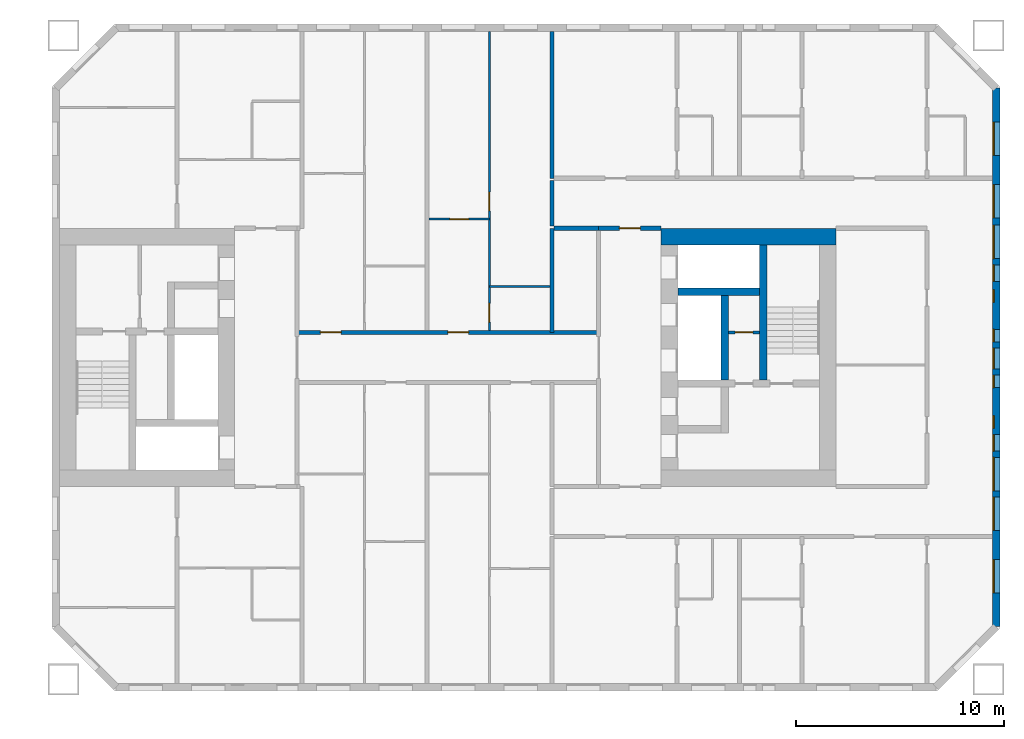
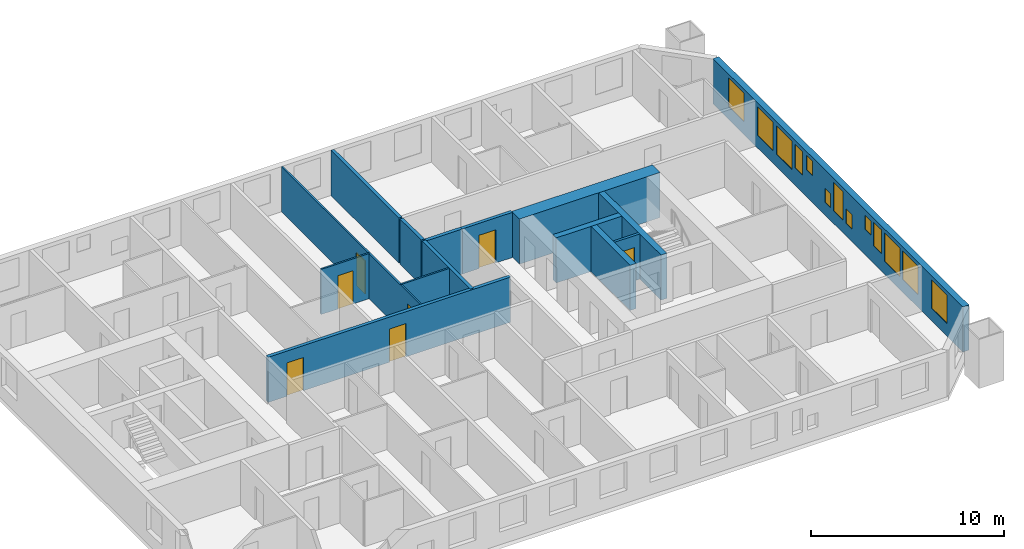
# One storey, part 13 of 17: 15 walls, 13 windows, 7 doors, 20 openings.
"""IFC4 building model written with IfcOpenShell, lengths in metres."""

from ifc_helpers import new_model, si_unit, direction, frame, frame_2d, origin, place, context, subcontext, project, spatial, rectangle, extrude, material, layer, layer_set, type_object, element, fill, save


model = new_model("IFC4")

# Units and contexts
model_context = context("Model", 3, precision=1e-05, world=origin(), true_north=direction((0.0, 1.0)))
body_context = subcontext(model_context, "Body", "Model", "MODEL_VIEW")
ifc_project = project(units=[si_unit("LENGTHUNIT", "METRE"), si_unit("AREAUNIT", "SQUARE_METRE"), si_unit("VOLUMEUNIT", "CUBIC_METRE"), si_unit("PLANEANGLEUNIT", "RADIAN"), si_unit("MASSUNIT", "GRAM", prefix="KILO")], contexts=[model_context])

# Site, building, storey
site_placement = place(None, origin())
site = spatial("IfcSite", under=ifc_project, at=site_placement, CompositionType="ELEMENT")
building_placement = place(site_placement, origin())
building = spatial("IfcBuilding", under=site, at=building_placement, Name="Tuart Gate Housing", CompositionType="ELEMENT")
storey_placement = place(building_placement, frame((0.0, 0.0, 50.5)))
storey = spatial("IfcBuildingStorey", under=building, at=storey_placement, Name="L13", CompositionType="ELEMENT", Elevation=50.5)

# Wall, openings, windows
ifc_material_1 = material(Name="Brick", Category="masonry")
ifc_layer_1 = layer(ifc_material_1, 0.360107421875)
ifc_layer_set_1 = layer_set([ifc_layer_1], Name="Brick pier and spandrel wall 360")
wall_type_1 = type_object("IfcWallType", Name="Brick pier and spandrel wall 360", PredefinedType="STANDARD", material=ifc_layer_set_1)
wall_1_placement = place(storey_placement, frame((176.320068359375, 57.07470703125, 0.0), z_axis=(0.0, 0.0, 1.0), x_axis=(0.0, 1.0, 0.0)))
wall_1 = element("IfcWall", 1, at=wall_1_placement, inside=storey, type_object=wall_type_1, Name="External wall B-E L13", PredefinedType="STANDARD", context=body_context, shape_type="SweptSolid", body=[
    extrude(rectangle(XDim=25.850830078125, YDim=0.360107421875, at=frame_2d((12.92529296875, 0.0))), origin(), (0.0, 0.0, 1.0), 2.85009765625),
])
opening_1_placement = place(wall_1_placement, frame((1.62548828125, 0.0, 0.800048828125)))
opening_1 = element("IfcOpeningElement", 2, at=opening_1_placement, cuts=wall_1, Name="Opening W1", PredefinedType="OPENING", context=body_context, shape_type="SweptSolid", body=[
    extrude(rectangle(XDim=1.60009765625, YDim=1.800048828125, at=frame_2d((0.800048828125, 0.89990234375))), frame((0.0, 0.18994140625, 0.0), z_axis=(0.0, -1.0, 0.0), x_axis=(1.0, 0.0, 0.0)), (0.0, 0.0, 1.0), 0.380126953125),
])
opening_2_placement = place(wall_1_placement, frame((4.62548828125, 0.0, 0.800048828125)))
opening_2 = element("IfcOpeningElement", 3, at=opening_2_placement, cuts=wall_1, Name="Opening W1", PredefinedType="OPENING", context=body_context, shape_type="SweptSolid", body=[
    extrude(rectangle(XDim=1.60009765625, YDim=1.800048828125, at=frame_2d((0.800048828125, 0.89990234375))), frame((0.0, 0.18994140625, 0.0), z_axis=(0.0, -1.0, 0.0), x_axis=(1.0, 0.0, 0.0)), (0.0, 0.0, 1.0), 0.380126953125),
])
opening_3_placement = place(wall_1_placement, frame((6.525390625, 0.0, 0.800048828125)))
opening_3 = element("IfcOpeningElement", 4, at=opening_3_placement, cuts=wall_1, Name="Opening W1", PredefinedType="OPENING", context=body_context, shape_type="SweptSolid", body=[
    extrude(rectangle(XDim=1.60009765625, YDim=1.800048828125, at=frame_2d((0.800048828125, 0.89990234375))), frame((0.0, 0.18994140625, 0.0), z_axis=(0.0, -1.0, 0.0), x_axis=(1.0, 0.0, 0.0)), (0.0, 0.0, 1.0), 0.380126953125),
])
opening_4_placement = place(wall_1_placement, frame((8.42529296875, 0.0, 1.10009765625)))
opening_4 = element("IfcOpeningElement", 5, at=opening_4_placement, cuts=wall_1, Name="Opening W1J", PredefinedType="OPENING", context=body_context, shape_type="SweptSolid", body=[
    extrude(rectangle(XDim=0.800048828125, YDim=1.5, at=frame_2d((0.39990234375, 0.75))), frame((0.0, 0.18994140625, 0.0), z_axis=(0.0, -1.0, 0.0), x_axis=(1.0, 0.0, 0.0)), (0.0, 0.0, 1.0), 0.380126953125),
])
opening_5_placement = place(wall_1_placement, frame((9.525390625, 0.0, 1.60009765625)))
opening_5 = element("IfcOpeningElement", 6, at=opening_5_placement, cuts=wall_1, Name="Opening W1W", PredefinedType="OPENING", context=body_context, shape_type="SweptSolid", body=[
    extrude(rectangle(XDim=0.60009765625, YDim=0.89990234375, at=frame_2d((0.300048828125, 0.449951171875))), frame((0.0, 0.18994140625, 0.0), z_axis=(0.0, -1.0, 0.0), x_axis=(1.0, 0.0, 0.0)), (0.0, 0.0, 1.0), 0.380126953125),
])
opening_6_placement = place(wall_1_placement, frame((11.475341796875, 0.0, 0.800048828125)))
opening_6 = element("IfcOpeningElement", 7, at=opening_6_placement, cuts=wall_1, Name="Opening W1W", PredefinedType="OPENING", context=body_context, shape_type="SweptSolid", body=[
    extrude(rectangle(XDim=0.60009765625, YDim=0.89990234375, at=frame_2d((0.300048828125, 0.449951171875))), frame((0.0, 0.18994140625, 0.0), z_axis=(0.0, -1.0, 0.0), x_axis=(1.0, 0.0, 0.0)), (0.0, 0.0, 1.0), 0.380126953125),
])
opening_7_placement = place(wall_1_placement, frame((19.62548828125, 0.0, 0.800048828125)))
opening_7 = element("IfcOpeningElement", 8, at=opening_7_placement, cuts=wall_1, Name="Opening W1", PredefinedType="OPENING", context=body_context, shape_type="SweptSolid", body=[
    extrude(rectangle(XDim=1.60009765625, YDim=1.800048828125, at=frame_2d((0.800048828125, 0.89990234375))), frame((0.0, 0.18994140625, 0.0), z_axis=(0.0, -1.0, 0.0), x_axis=(1.0, 0.0, 0.0)), (0.0, 0.0, 1.0), 0.380126953125),
])
opening_8_placement = place(wall_1_placement, frame((22.62548828125, 0.0, 0.800048828125)))
opening_8 = element("IfcOpeningElement", 9, at=opening_8_placement, cuts=wall_1, Name="Opening W1", PredefinedType="OPENING", context=body_context, shape_type="SweptSolid", body=[
    extrude(rectangle(XDim=1.60009765625, YDim=1.800048828125, at=frame_2d((0.800048828125, 0.89990234375))), frame((0.0, 0.18994140625, 0.0), z_axis=(0.0, -1.0, 0.0), x_axis=(1.0, 0.0, 0.0)), (0.0, 0.0, 1.0), 0.380126953125),
])
opening_9_placement = place(wall_1_placement, frame((12.37548828125, 0.0, 0.800048828125)))
opening_9 = element("IfcOpeningElement", 10, at=opening_9_placement, cuts=wall_1, Name="Opening W1C", PredefinedType="OPENING", context=body_context, shape_type="SweptSolid", body=[
    extrude(rectangle(XDim=1.0, YDim=1.800048828125, at=frame_2d((0.5, 0.89990234375))), frame((0.0, 0.18994140625, 0.0), z_axis=(0.0, -1.0, 0.0), x_axis=(1.0, 0.0, 0.0)), (0.0, 0.0, 1.0), 0.380126953125),
])
opening_10_placement = place(wall_1_placement, frame((13.67529296875, 0.0, 0.800048828125)))
opening_10 = element("IfcOpeningElement", 11, at=opening_10_placement, cuts=wall_1, Name="Opening W1W", PredefinedType="OPENING", context=body_context, shape_type="SweptSolid", body=[
    extrude(rectangle(XDim=0.60009765625, YDim=0.89990234375, at=frame_2d((0.300048828125, 0.449951171875))), frame((0.0, 0.18994140625, 0.0), z_axis=(0.0, -1.0, 0.0), x_axis=(1.0, 0.0, 0.0)), (0.0, 0.0, 1.0), 0.380126953125),
])
opening_11_placement = place(wall_1_placement, frame((15.575439453125, 0.0, 1.699951171875)))
opening_11 = element("IfcOpeningElement", 12, at=opening_11_placement, cuts=wall_1, Name="Opening W1W", PredefinedType="OPENING", context=body_context, shape_type="SweptSolid", body=[
    extrude(rectangle(XDim=0.60009765625, YDim=0.89990234375, at=frame_2d((0.300048828125, 0.449951171875))), frame((0.0, 0.18994140625, 0.0), z_axis=(0.0, -1.0, 0.0), x_axis=(1.0, 0.0, 0.0)), (0.0, 0.0, 1.0), 0.380126953125),
])
opening_12_placement = place(wall_1_placement, frame((16.575439453125, 0.0, 1.10009765625)))
opening_12 = element("IfcOpeningElement", 13, at=opening_12_placement, cuts=wall_1, Name="Opening W1J", PredefinedType="OPENING", context=body_context, shape_type="SweptSolid", body=[
    extrude(rectangle(XDim=0.800048828125, YDim=1.5, at=frame_2d((0.39990234375, 0.75))), frame((0.0, 0.18994140625, 0.0), z_axis=(0.0, -1.0, 0.0), x_axis=(1.0, 0.0, 0.0)), (0.0, 0.0, 1.0), 0.380126953125),
])
opening_13_placement = place(wall_1_placement, frame((17.67529296875, 0.0, 0.800048828125)))
opening_13 = element("IfcOpeningElement", 14, at=opening_13_placement, cuts=wall_1, Name="Opening W1", PredefinedType="OPENING", context=body_context, shape_type="SweptSolid", body=[
    extrude(rectangle(XDim=1.60009765625, YDim=1.800048828125, at=frame_2d((0.800048828125, 0.89990234375))), frame((0.0, 0.18994140625, 0.0), z_axis=(0.0, -1.0, 0.0), x_axis=(1.0, 0.0, 0.0)), (0.0, 0.0, 1.0), 0.380126953125),
])
ifc_material_2 = material(Name="Aluminium frame with clear glass", Category="aluminium")
window_type_1 = type_object("IfcWindowType", Name="Punched window 1000 x 1800", PartitioningType="SINGLE_PANEL", PredefinedType="WINDOW", material=ifc_material_2)
window_1_placement = place(opening_9_placement, origin())
window_1 = element("IfcWindow", 15, at=window_1_placement, inside=storey, type_object=window_type_1, Name="Window W1C", OverallHeight=1.800048828125, OverallWidth=1.0, PartitioningType="SINGLE_PANEL", PredefinedType="WINDOW", context=body_context, shape_type="SweptSolid", body=[
    extrude(rectangle(XDim=1.0, YDim=1.800048828125, at=frame_2d((0.5, 0.89990234375))), frame((0.0, 0.150146484375, 0.0), z_axis=(0.0, -1.0, 0.0), x_axis=(1.0, 0.0, 0.0)), (0.0, 0.0, 1.0), 0.06005859375),
])
fill(opening_9, window_1)
ifc_material_3 = material(Name="Aluminium frame with clear glass", Category="aluminium")
window_type_2 = type_object("IfcWindowType", Name="Punched window 1600 x 1800", PartitioningType="SINGLE_PANEL", PredefinedType="WINDOW", material=ifc_material_3)
window_2_placement = place(opening_1_placement, origin())
window_2 = element("IfcWindow", 16, at=window_2_placement, inside=storey, type_object=window_type_2, Name="Window W1", OverallHeight=1.800048828125, OverallWidth=1.60009765625, PartitioningType="SINGLE_PANEL", PredefinedType="WINDOW", context=body_context, shape_type="SweptSolid", body=[
    extrude(rectangle(XDim=1.60009765625, YDim=1.800048828125, at=frame_2d((0.800048828125, 0.89990234375))), frame((0.0, 0.150146484375, 0.0), z_axis=(0.0, -1.0, 0.0), x_axis=(1.0, 0.0, 0.0)), (0.0, 0.0, 1.0), 0.06005859375),
])
fill(opening_1, window_2)
window_3_placement = place(opening_2_placement, origin())
window_3 = element("IfcWindow", 17, at=window_3_placement, inside=storey, type_object=window_type_2, Name="Window W1", OverallHeight=1.800048828125, OverallWidth=1.60009765625, PartitioningType="SINGLE_PANEL", PredefinedType="WINDOW", context=body_context, shape_type="SweptSolid", body=[
    extrude(rectangle(XDim=1.60009765625, YDim=1.800048828125, at=frame_2d((0.800048828125, 0.89990234375))), frame((0.0, 0.150146484375, 0.0), z_axis=(0.0, -1.0, 0.0), x_axis=(1.0, 0.0, 0.0)), (0.0, 0.0, 1.0), 0.06005859375),
])
fill(opening_2, window_3)
window_4_placement = place(opening_3_placement, origin())
window_4 = element("IfcWindow", 18, at=window_4_placement, inside=storey, type_object=window_type_2, Name="Window W1", OverallHeight=1.800048828125, OverallWidth=1.60009765625, PartitioningType="SINGLE_PANEL", PredefinedType="WINDOW", context=body_context, shape_type="SweptSolid", body=[
    extrude(rectangle(XDim=1.60009765625, YDim=1.800048828125, at=frame_2d((0.800048828125, 0.89990234375))), frame((0.0, 0.150146484375, 0.0), z_axis=(0.0, -1.0, 0.0), x_axis=(1.0, 0.0, 0.0)), (0.0, 0.0, 1.0), 0.06005859375),
])
fill(opening_3, window_4)
window_5_placement = place(opening_7_placement, origin())
window_5 = element("IfcWindow", 19, at=window_5_placement, inside=storey, type_object=window_type_2, Name="Window W1", OverallHeight=1.800048828125, OverallWidth=1.60009765625, PartitioningType="SINGLE_PANEL", PredefinedType="WINDOW", context=body_context, shape_type="SweptSolid", body=[
    extrude(rectangle(XDim=1.60009765625, YDim=1.800048828125, at=frame_2d((0.800048828125, 0.89990234375))), frame((0.0, 0.150146484375, 0.0), z_axis=(0.0, -1.0, 0.0), x_axis=(1.0, 0.0, 0.0)), (0.0, 0.0, 1.0), 0.06005859375),
])
fill(opening_7, window_5)
window_6_placement = place(opening_8_placement, origin())
window_6 = element("IfcWindow", 20, at=window_6_placement, inside=storey, type_object=window_type_2, Name="Window W1", OverallHeight=1.800048828125, OverallWidth=1.60009765625, PartitioningType="SINGLE_PANEL", PredefinedType="WINDOW", context=body_context, shape_type="SweptSolid", body=[
    extrude(rectangle(XDim=1.60009765625, YDim=1.800048828125, at=frame_2d((0.800048828125, 0.89990234375))), frame((0.0, 0.150146484375, 0.0), z_axis=(0.0, -1.0, 0.0), x_axis=(1.0, 0.0, 0.0)), (0.0, 0.0, 1.0), 0.06005859375),
])
fill(opening_8, window_6)
window_7_placement = place(opening_13_placement, origin())
window_7 = element("IfcWindow", 21, at=window_7_placement, inside=storey, type_object=window_type_2, Name="Window W1", OverallHeight=1.800048828125, OverallWidth=1.60009765625, PartitioningType="SINGLE_PANEL", PredefinedType="WINDOW", context=body_context, shape_type="SweptSolid", body=[
    extrude(rectangle(XDim=1.60009765625, YDim=1.800048828125, at=frame_2d((0.800048828125, 0.89990234375))), frame((0.0, 0.150146484375, 0.0), z_axis=(0.0, -1.0, 0.0), x_axis=(1.0, 0.0, 0.0)), (0.0, 0.0, 1.0), 0.06005859375),
])
fill(opening_13, window_7)
ifc_material_4 = material(Name="Aluminium frame with clear glass", Category="aluminium")
window_type_3 = type_object("IfcWindowType", Name="Punched window 600 x 900", PartitioningType="SINGLE_PANEL", PredefinedType="WINDOW", material=ifc_material_4)
window_8_placement = place(opening_5_placement, origin())
window_8 = element("IfcWindow", 22, at=window_8_placement, inside=storey, type_object=window_type_3, Name="Window W1W", OverallHeight=0.89990234375, OverallWidth=0.60009765625, PartitioningType="SINGLE_PANEL", PredefinedType="WINDOW", context=body_context, shape_type="SweptSolid", body=[
    extrude(rectangle(XDim=0.60009765625, YDim=0.89990234375, at=frame_2d((0.300048828125, 0.449951171875))), frame((0.0, 0.150146484375, 0.0), z_axis=(0.0, -1.0, 0.0), x_axis=(1.0, 0.0, 0.0)), (0.0, 0.0, 1.0), 0.06005859375),
])
fill(opening_5, window_8)
window_9_placement = place(opening_6_placement, origin())
window_9 = element("IfcWindow", 23, at=window_9_placement, inside=storey, type_object=window_type_3, Name="Window W1W", OverallHeight=0.89990234375, OverallWidth=0.60009765625, PartitioningType="SINGLE_PANEL", PredefinedType="WINDOW", context=body_context, shape_type="SweptSolid", body=[
    extrude(rectangle(XDim=0.60009765625, YDim=0.89990234375, at=frame_2d((0.300048828125, 0.449951171875))), frame((0.0, 0.150146484375, 0.0), z_axis=(0.0, -1.0, 0.0), x_axis=(1.0, 0.0, 0.0)), (0.0, 0.0, 1.0), 0.06005859375),
])
fill(opening_6, window_9)
window_10_placement = place(opening_10_placement, origin())
window_10 = element("IfcWindow", 24, at=window_10_placement, inside=storey, type_object=window_type_3, Name="Window W1W", OverallHeight=0.89990234375, OverallWidth=0.60009765625, PartitioningType="SINGLE_PANEL", PredefinedType="WINDOW", context=body_context, shape_type="SweptSolid", body=[
    extrude(rectangle(XDim=0.60009765625, YDim=0.89990234375, at=frame_2d((0.300048828125, 0.449951171875))), frame((0.0, 0.150146484375, 0.0), z_axis=(0.0, -1.0, 0.0), x_axis=(1.0, 0.0, 0.0)), (0.0, 0.0, 1.0), 0.06005859375),
])
fill(opening_10, window_10)
window_11_placement = place(opening_11_placement, origin())
window_11 = element("IfcWindow", 25, at=window_11_placement, inside=storey, type_object=window_type_3, Name="Window W1W", OverallHeight=0.89990234375, OverallWidth=0.60009765625, PartitioningType="SINGLE_PANEL", PredefinedType="WINDOW", context=body_context, shape_type="SweptSolid", body=[
    extrude(rectangle(XDim=0.60009765625, YDim=0.89990234375, at=frame_2d((0.300048828125, 0.449951171875))), frame((0.0, 0.150146484375, 0.0), z_axis=(0.0, -1.0, 0.0), x_axis=(1.0, 0.0, 0.0)), (0.0, 0.0, 1.0), 0.06005859375),
])
fill(opening_11, window_11)
ifc_material_5 = material(Name="Aluminium frame with clear glass", Category="aluminium")
window_type_4 = type_object("IfcWindowType", Name="Punched window 800 x 1500", PartitioningType="SINGLE_PANEL", PredefinedType="WINDOW", material=ifc_material_5)
window_12_placement = place(opening_4_placement, origin())
window_12 = element("IfcWindow", 26, at=window_12_placement, inside=storey, type_object=window_type_4, Name="Window W1J", OverallHeight=1.5, OverallWidth=0.800048828125, PartitioningType="SINGLE_PANEL", PredefinedType="WINDOW", context=body_context, shape_type="SweptSolid", body=[
    extrude(rectangle(XDim=0.800048828125, YDim=1.5, at=frame_2d((0.39990234375, 0.75))), frame((0.0, 0.150146484375, 0.0), z_axis=(0.0, -1.0, 0.0), x_axis=(1.0, 0.0, 0.0)), (0.0, 0.0, 1.0), 0.06005859375),
])
fill(opening_4, window_12)
window_13_placement = place(opening_12_placement, origin())
window_13 = element("IfcWindow", 27, at=window_13_placement, inside=storey, type_object=window_type_4, Name="Window W1J", OverallHeight=1.5, OverallWidth=0.800048828125, PartitioningType="SINGLE_PANEL", PredefinedType="WINDOW", context=body_context, shape_type="SweptSolid", body=[
    extrude(rectangle(XDim=0.800048828125, YDim=1.5, at=frame_2d((0.39990234375, 0.75))), frame((0.0, 0.150146484375, 0.0), z_axis=(0.0, -1.0, 0.0), x_axis=(1.0, 0.0, 0.0)), (0.0, 0.0, 1.0), 0.06005859375),
])
fill(opening_12, window_13)

# Wall, opening, door
ifc_material_6 = material(Name="Plasterboard partition")
ifc_layer_2 = layer(ifc_material_6, 0.14990234375)
ifc_layer_set_2 = layer_set([ifc_layer_2], Name="Core partition 150")
wall_type_2 = type_object("IfcWallType", Name="Core partition 150", PredefinedType="PARTITIONING", material=ifc_layer_set_2)
wall_2_placement = place(storey_placement, frame((163.465087890625, 71.199951171875, 0.0), z_axis=(0.0, 0.0, 1.0), x_axis=(1.0, 0.0, 0.0)))
wall_2 = element("IfcWall", 28, at=wall_2_placement, inside=storey, type_object=wall_type_2, Name="Core partition BK.2", PredefinedType="PARTITIONING", context=body_context, shape_type="SweptSolid", body=[
    extrude(rectangle(XDim=1.5, YDim=0.14990234375, at=frame_2d((0.75, 0.0))), origin(), (0.0, 0.0, 1.0), 2.85009765625),
])
opening_14_placement = place(wall_2_placement, frame((0.324951171875, 0.0, 0.0)))
opening_14 = element("IfcOpeningElement", 29, at=opening_14_placement, cuts=wall_2, Name="Opening D681", PredefinedType="OPENING", context=body_context, shape_type="SweptSolid", body=[
    extrude(rectangle(XDim=0.85009765625, YDim=2.10009765625, at=frame_2d((0.425048828125, 1.050048828125))), frame((0.0, 0.0849609375, 0.0), z_axis=(0.0, -1.0, 0.0), x_axis=(1.0, 0.0, 0.0)), (0.0, 0.0, 1.0), 0.169921875),
])
ifc_material_7 = material(Name="Steel fire door", Category="steel")
door_type_1 = type_object("IfcDoorType", Name="Service door 850 x 2100 RH", OperationType="SINGLE_SWING_RIGHT", PredefinedType="DOOR", material=ifc_material_7)
door_1_placement = place(opening_14_placement, frame((0.85009765625, 0.0, 0.0), z_axis=(0.0, 0.0, 1.0), x_axis=(-1.0, 0.0, 0.0)))
door_1 = element("IfcDoor", 30, at=door_1_placement, inside=storey, type_object=door_type_1, Name="Service room door BK.W2", OperationType="SINGLE_SWING_RIGHT", OverallHeight=2.10009765625, OverallWidth=0.85009765625, PredefinedType="DOOR", context=body_context, shape_type="SweptSolid", body=[
    extrude(rectangle(XDim=0.85009765625, YDim=2.10009765625, at=frame_2d((0.425048828125, 1.050048828125))), frame((0.0, 0.025146484375, 0.0), z_axis=(0.0, -1.0, 0.0), x_axis=(1.0, 0.0, 0.0)), (0.0, 0.0, 1.0), 0.050048828125),
])
fill(opening_14, door_1)

# Walls
ifc_material_8 = material(Name="Concrete C60", Category="concrete")
ifc_layer_3 = layer(ifc_material_8, 0.35009765625)
ifc_layer_set_3 = layer_set([ifc_layer_3], Name="Core wall 350 C60")
wall_type_3 = type_object("IfcWallType", Name="Core wall 350 C60", PredefinedType="SHEAR", material=ifc_layer_set_3)
wall_3_placement = place(storey_placement, frame((161.0400390625, 73.14990234375, 0.0), z_axis=(0.0, 0.0, 1.0), x_axis=(1.0, 0.0, 0.0)))
element("IfcWall", 31, at=wall_3_placement, inside=storey, type_object=wall_type_3, Name="Core wall BK.1", PredefinedType="SHEAR", context=body_context, shape_type="SweptSolid", body=[
    extrude(rectangle(XDim=3.925048828125, YDim=0.35009765625, at=frame_2d((1.96240234375, 0.0))), origin(), (0.0, 0.0, 1.0), 2.85009765625),
])
wall_4_placement = place(storey_placement, frame((163.2900390625, 72.97509765625, 0.0), z_axis=(0.0, 0.0, 1.0), x_axis=(0.0, -1.0, 0.0)))
element("IfcWall", 32, at=wall_4_placement, inside=storey, type_object=wall_type_3, Name="Core wall BK.5", PredefinedType="SHEAR", context=body_context, shape_type="SweptSolid", body=[
    extrude(rectangle(XDim=4.050048828125, YDim=0.35009765625, at=frame_2d((2.02490234375, 0.0))), origin(), (0.0, 0.0, 1.0), 2.85009765625),
])
wall_5_placement = place(storey_placement, frame((165.139892578125, 75.39990234375, 0.0), z_axis=(0.0, 0.0, 1.0), x_axis=(0.0, -1.0, 0.0)))
element("IfcWall", 33, at=wall_5_placement, inside=storey, type_object=wall_type_3, Name="Core wall BK.7", PredefinedType="SHEAR", context=body_context, shape_type="SweptSolid", body=[
    extrude(rectangle(XDim=6.474853515625, YDim=0.35009765625, at=frame_2d((3.2373046875, 0.0))), origin(), (0.0, 0.0, 1.0), 2.85009765625),
])
ifc_material_9 = material(Name="Concrete C60", Category="concrete")
ifc_layer_4 = layer(ifc_material_9, 0.800048828125)
ifc_layer_set_4 = layer_set([ifc_layer_4], Name="Core wall 800 C60")
wall_type_4 = type_object("IfcWallType", Name="Core wall 800 C60", PredefinedType="SHEAR", material=ifc_layer_set_4)
wall_6_placement = place(storey_placement, frame((160.239990234375, 75.800048828125, 0.0), z_axis=(0.0, 0.0, 1.0), x_axis=(1.0, 0.0, 0.0)))
element("IfcWall", 34, at=wall_6_placement, inside=storey, type_object=wall_type_4, Name="Core wall BK south", PredefinedType="SHEAR", context=body_context, shape_type="SweptSolid", body=[
    extrude(rectangle(XDim=8.39990234375, YDim=0.800048828125, at=frame_2d((4.199951171875, 0.0))), origin(), (0.0, 0.0, 1.0), 2.85009765625),
])

# Wall, openings, doors
ifc_material_10 = material(Name="Concrete masonry 15 MPa", Category="masonry")
ifc_layer_5 = layer(ifc_material_10, 0.199951171875)
ifc_layer_set_5 = layer_set([ifc_layer_5], Name="Corridor wall masonry 200")
wall_type_5 = type_object("IfcWallType", Name="Corridor wall masonry 200", PredefinedType="PARTITIONING", material=ifc_layer_set_5)
wall_7_placement = place(storey_placement, frame((142.760009765625, 71.199951171875, 0.0), z_axis=(0.0, 0.0, 1.0), x_axis=(1.0, 0.0, 0.0)))
wall_7 = element("IfcWall", 35, at=wall_7_placement, inside=storey, type_object=wall_type_5, Name="Corridor wall masonry 200", PredefinedType="PARTITIONING", context=body_context, shape_type="SweptSolid", body=[
    extrude(rectangle(XDim=14.47998046875, YDim=0.199951171875, at=frame_2d((7.239990234375, 0.0))), origin(), (0.0, 0.0, 1.0), 2.85009765625),
])
opening_15_placement = place(wall_7_placement, frame((1.1201171875, 0.0, 0.0)))
opening_15 = element("IfcOpeningElement", 36, at=opening_15_placement, cuts=wall_7, Name="Opening D679", PredefinedType="OPENING", context=body_context, shape_type="SweptSolid", body=[
    extrude(rectangle(XDim=1.0, YDim=2.10009765625, at=frame_2d((0.5, 1.050048828125))), frame((0.0, 0.10986328125, 0.0), z_axis=(0.0, -1.0, 0.0), x_axis=(1.0, 0.0, 0.0)), (0.0, 0.0, 1.0), 0.219970703125),
])
opening_16_placement = place(wall_7_placement, frame((7.239990234375, 0.0, 0.0)))
opening_16 = element("IfcOpeningElement", 37, at=opening_16_placement, cuts=wall_7, Name="Opening D680", PredefinedType="OPENING", context=body_context, shape_type="SweptSolid", body=[
    extrude(rectangle(XDim=1.0, YDim=2.10009765625, at=frame_2d((0.5, 1.050048828125))), frame((0.0, 0.10986328125, 0.0), z_axis=(0.0, -1.0, 0.0), x_axis=(1.0, 0.0, 0.0)), (0.0, 0.0, 1.0), 0.219970703125),
])
ifc_material_11 = material(Name="Timber door leaf in steel frame", Category="steel")
door_type_2 = type_object("IfcDoorType", Name="Flat entrance door 1000", OperationType="SINGLE_SWING_LEFT", PredefinedType="DOOR", material=ifc_material_11)
door_2_placement = place(opening_15_placement, origin())
door_2 = element("IfcDoor", 38, at=door_2_placement, inside=storey, type_object=door_type_2, Name="Flat entrance door", OperationType="SINGLE_SWING_LEFT", OverallHeight=2.10009765625, OverallWidth=1.0, PredefinedType="DOOR", context=body_context, shape_type="SweptSolid", body=[
    extrude(rectangle(XDim=1.0, YDim=2.10009765625, at=frame_2d((0.5, 1.050048828125))), frame((0.0, 0.02490234375, 0.0), z_axis=(0.0, -1.0, 0.0), x_axis=(1.0, 0.0, 0.0)), (0.0, 0.0, 1.0), 0.050048828125),
])
fill(opening_15, door_2)
door_3_placement = place(opening_16_placement, origin())
door_3 = element("IfcDoor", 39, at=door_3_placement, inside=storey, type_object=door_type_2, Name="Flat entrance door", OperationType="SINGLE_SWING_LEFT", OverallHeight=2.10009765625, OverallWidth=1.0, PredefinedType="DOOR", context=body_context, shape_type="SweptSolid", body=[
    extrude(rectangle(XDim=1.0, YDim=2.10009765625, at=frame_2d((0.5, 1.050048828125))), frame((0.0, 0.02490234375, 0.0), z_axis=(0.0, -1.0, 0.0), x_axis=(1.0, 0.0, 0.0)), (0.0, 0.0, 1.0), 0.050048828125),
])
fill(opening_16, door_3)

# Walls
wall_8_placement = place(storey_placement, frame((155.10009765625, 76.199951171875, 0.0), z_axis=(0.0, 0.0, 1.0), x_axis=(1.0, 0.0, 0.0)))
element("IfcWall", 40, at=wall_8_placement, inside=storey, type_object=wall_type_5, Name="Corridor wall masonry 200", PredefinedType="PARTITIONING", context=body_context, shape_type="SweptSolid", body=[
    extrude(rectangle(XDim=2.139892578125, YDim=0.199951171875, at=frame_2d((1.06982421875, 0.0))), origin(), (0.0, 0.0, 1.0), 2.85009765625),
])
wall_9_placement = place(storey_placement, frame((155.0, 76.300048828125, 0.0), z_axis=(0.0, 0.0, 1.0), x_axis=(0.0, 1.0, 0.0)))
element("IfcWall", 41, at=wall_9_placement, inside=storey, type_object=wall_type_5, Name="Corridor wall masonry 200", PredefinedType="PARTITIONING", context=body_context, shape_type="SweptSolid", body=[
    extrude(rectangle(XDim=2.199951171875, YDim=0.199951171875, at=frame_2d((1.10009765625, 0.0))), origin(), (0.0, 0.0, 1.0), 2.85009765625),
])

# Wall, opening, door
ifc_material_12 = material(Name="Concrete masonry 15 MPa", Category="masonry")
ifc_layer_6 = layer(ifc_material_12, 0.199951171875)
ifc_layer_set_6 = layer_set([ifc_layer_6], Name="Enclosure wall masonry 200")
wall_type_6 = type_object("IfcWallType", Name="Enclosure wall masonry 200", PredefinedType="PARTITIONING", material=ifc_layer_set_6)
wall_10_placement = place(storey_placement, frame((157.239990234375, 76.199951171875, 0.0), z_axis=(0.0, 0.0, 1.0), x_axis=(1.0, 0.0, 0.0)))
wall_10 = element("IfcWall", 42, at=wall_10_placement, inside=storey, type_object=wall_type_6, Name="Enclosure wall masonry 200", PredefinedType="PARTITIONING", context=body_context, shape_type="SweptSolid", body=[
    extrude(rectangle(XDim=3.0, YDim=0.199951171875, at=frame_2d((1.5, 0.0))), origin(), (0.0, 0.0, 1.0), 2.85009765625),
])
opening_17_placement = place(wall_10_placement, frame((1.0, 0.0, 0.0)))
opening_17 = element("IfcOpeningElement", 43, at=opening_17_placement, cuts=wall_10, Name="Opening D675", PredefinedType="OPENING", context=body_context, shape_type="SweptSolid", body=[
    extrude(rectangle(XDim=1.0, YDim=2.10009765625, at=frame_2d((0.5, 1.050048828125))), frame((0.0, 0.10986328125, 0.0), z_axis=(0.0, -1.0, 0.0), x_axis=(1.0, 0.0, 0.0)), (0.0, 0.0, 1.0), 0.219970703125),
])
ifc_material_13 = material(Name="Timber door leaf in steel frame", Category="steel")
door_type_3 = type_object("IfcDoorType", Name="Fire door 1000", OperationType="SINGLE_SWING_LEFT", PredefinedType="DOOR", material=ifc_material_13)
door_4_placement = place(opening_17_placement, origin())
door_4 = element("IfcDoor", 44, at=door_4_placement, inside=storey, type_object=door_type_3, Name="Fire door", OperationType="SINGLE_SWING_LEFT", OverallHeight=2.10009765625, OverallWidth=1.0, PredefinedType="DOOR", context=body_context, shape_type="SweptSolid", body=[
    extrude(rectangle(XDim=1.0, YDim=2.10009765625, at=frame_2d((0.5, 1.050048828125))), frame((0.0, 0.02490234375, 0.0), z_axis=(0.0, -1.0, 0.0), x_axis=(1.0, 0.0, 0.0)), (0.0, 0.0, 1.0), 0.050048828125),
])
fill(opening_17, door_4)

# Wall
ifc_material_14 = material(Name="Gypsum board on steel studs", Category="steel")
ifc_layer_7 = layer(ifc_material_14, 0.10009765625)
ifc_layer_set_7 = layer_set([ifc_layer_7], Name="Partition 100")
wall_type_7 = type_object("IfcWallType", Name="Partition 100", PredefinedType="PARTITIONING", material=ifc_layer_set_7)
wall_11_placement = place(storey_placement, frame((152.0, 73.39990234375, 0.0), z_axis=(0.0, 0.0, 1.0), x_axis=(1.0, 0.0, 0.0)))
element("IfcWall", 45, at=wall_11_placement, inside=storey, type_object=wall_type_7, Name="Partition 100", PredefinedType="PARTITIONING", context=body_context, shape_type="SweptSolid", body=[
    extrude(rectangle(XDim=2.89990234375, YDim=0.10009765625, at=frame_2d((1.449951171875, 0.0))), origin(), (0.0, 0.0, 1.0), 2.85009765625),
])

# Wall, opening, door
wall_12_placement = place(storey_placement, frame((149.10009765625, 76.639892578125, 0.0), z_axis=(0.0, 0.0, 1.0), x_axis=(1.0, 0.0, 0.0)))
wall_12 = element("IfcWall", 46, at=wall_12_placement, inside=storey, type_object=wall_type_7, Name="Partition 100", PredefinedType="PARTITIONING", context=body_context, shape_type="SweptSolid", body=[
    extrude(rectangle(XDim=2.89990234375, YDim=0.10009765625, at=frame_2d((1.449951171875, 0.0))), origin(), (0.0, 0.0, 1.0), 2.85009765625),
])
opening_18_placement = place(wall_12_placement, frame((1.0, 0.0, 0.0)))
opening_18 = element("IfcOpeningElement", 47, at=opening_18_placement, cuts=wall_12, Name="Opening D673", PredefinedType="OPENING", context=body_context, shape_type="SweptSolid", body=[
    extrude(rectangle(XDim=0.89990234375, YDim=2.10009765625, at=frame_2d((0.449951171875, 1.050048828125))), frame((0.0, 0.06005859375, 0.0), z_axis=(0.0, -1.0, 0.0), x_axis=(1.0, 0.0, 0.0)), (0.0, 0.0, 1.0), 0.1201171875),
])
ifc_material_15 = material(Name="Timber door leaf in steel frame", Category="steel")
door_type_4 = type_object("IfcDoorType", Name="Internal door 900", OperationType="SINGLE_SWING_LEFT", PredefinedType="DOOR", material=ifc_material_15)
door_5_placement = place(opening_18_placement, frame((0.89990234375, 0.0, 0.0), z_axis=(0.0, 0.0, 1.0), x_axis=(-1.0, 0.0, 0.0)))
door_5 = element("IfcDoor", 48, at=door_5_placement, inside=storey, type_object=door_type_4, Name="Internal door", OperationType="SINGLE_SWING_LEFT", OverallHeight=2.10009765625, OverallWidth=0.89990234375, PredefinedType="DOOR", context=body_context, shape_type="SweptSolid", body=[
    extrude(rectangle(XDim=0.89990234375, YDim=2.10009765625, at=frame_2d((0.449951171875, 1.050048828125))), frame((0.0, 0.025146484375, 0.0), z_axis=(0.0, -1.0, 0.0), x_axis=(1.0, 0.0, 0.0)), (0.0, 0.0, 1.0), 0.050048828125),
])
fill(opening_18, door_5)

# Wall, openings, doors
wall_13_placement = place(storey_placement, frame((152.0, 71.300048828125, 0.0), z_axis=(0.0, 0.0, 1.0), x_axis=(0.0, 1.0, 0.0)))
wall_13 = element("IfcWall", 49, at=wall_13_placement, inside=storey, type_object=wall_type_7, Name="Partition 100", PredefinedType="PARTITIONING", context=body_context, shape_type="SweptSolid", body=[
    extrude(rectangle(XDim=14.33984375, YDim=0.10009765625, at=frame_2d((7.169921875, 0.0))), origin(), (0.0, 0.0, 1.0), 2.85009765625),
])
opening_19_placement = place(wall_13_placement, frame((5.739990234375, 0.0, 0.0)))
opening_19 = element("IfcOpeningElement", 50, at=opening_19_placement, cuts=wall_13, Name="Opening D672", PredefinedType="OPENING", context=body_context, shape_type="SweptSolid", body=[
    extrude(rectangle(XDim=0.89990234375, YDim=2.10009765625, at=frame_2d((0.449951171875, 1.050048828125))), frame((0.0, 0.06005859375, 0.0), z_axis=(0.0, -1.0, 0.0), x_axis=(1.0, 0.0, 0.0)), (0.0, 0.0, 1.0), 0.1201171875),
])
opening_20_placement = place(wall_13_placement, frame((0.39990234375, 0.0, 0.0)))
opening_20 = element("IfcOpeningElement", 51, at=opening_20_placement, cuts=wall_13, Name="Opening D671", PredefinedType="OPENING", context=body_context, shape_type="SweptSolid", body=[
    extrude(rectangle(XDim=0.89990234375, YDim=2.10009765625, at=frame_2d((0.449951171875, 1.050048828125))), frame((0.0, 0.06005859375, 0.0), z_axis=(0.0, -1.0, 0.0), x_axis=(1.0, 0.0, 0.0)), (0.0, 0.0, 1.0), 0.1201171875),
])
ifc_material_16 = material(Name="Timber door leaf in steel frame", Category="steel")
door_type_5 = type_object("IfcDoorType", Name="Bathroom door 900 RH", OperationType="SINGLE_SWING_RIGHT", PredefinedType="DOOR", material=ifc_material_16)
door_6_placement = place(opening_20_placement, frame((0.89990234375, 0.0, 0.0), z_axis=(0.0, 0.0, 1.0), x_axis=(-1.0, 0.0, 0.0)))
door_6 = element("IfcDoor", 52, at=door_6_placement, inside=storey, type_object=door_type_5, Name="Bathroom door", OperationType="SINGLE_SWING_RIGHT", OverallHeight=2.10009765625, OverallWidth=0.89990234375, PredefinedType="DOOR", context=body_context, shape_type="SweptSolid", body=[
    extrude(rectangle(XDim=0.89990234375, YDim=2.10009765625, at=frame_2d((0.449951171875, 1.050048828125))), frame((0.0, 0.025146484375, 0.0), z_axis=(0.0, -1.0, 0.0), x_axis=(1.0, 0.0, 0.0)), (0.0, 0.0, 1.0), 0.050048828125),
])
fill(opening_20, door_6)
ifc_material_17 = material(Name="Timber door leaf in steel frame", Category="steel")
door_type_6 = type_object("IfcDoorType", Name="Internal door 900 RH", OperationType="SINGLE_SWING_RIGHT", PredefinedType="DOOR", material=ifc_material_17)
door_7_placement = place(opening_19_placement, frame((0.89990234375, 0.0, 0.0), z_axis=(0.0, 0.0, 1.0), x_axis=(-1.0, 0.0, 0.0)))
door_7 = element("IfcDoor", 53, at=door_7_placement, inside=storey, type_object=door_type_6, Name="Internal door", OperationType="SINGLE_SWING_RIGHT", OverallHeight=2.10009765625, OverallWidth=0.89990234375, PredefinedType="DOOR", context=body_context, shape_type="SweptSolid", body=[
    extrude(rectangle(XDim=0.89990234375, YDim=2.10009765625, at=frame_2d((0.449951171875, 1.050048828125))), frame((0.0, 0.025146484375, 0.0), z_axis=(0.0, -1.0, 0.0), x_axis=(1.0, 0.0, 0.0)), (0.0, 0.0, 1.0), 0.050048828125),
])
fill(opening_19, door_7)

# Walls
ifc_material_18 = material(Name="Concrete C40", Category="concrete")
ifc_layer_8 = layer(ifc_material_18, 0.199951171875)
ifc_layer_set_8 = layer_set([ifc_layer_8], Name="Party wall concrete C40 200")
wall_type_8 = type_object("IfcWallType", Name="Party wall concrete C40 200", PredefinedType="SOLIDWALL", material=ifc_layer_set_8)
wall_14_placement = place(storey_placement, frame((155.0, 71.199951171875, 0.0), z_axis=(0.0, 0.0, 1.0), x_axis=(0.0, 1.0, 0.0)))
element("IfcWall", 54, at=wall_14_placement, inside=storey, type_object=wall_type_8, Name="Party wall concrete C40 200", PredefinedType="SOLIDWALL", context=body_context, shape_type="SweptSolid", body=[
    extrude(rectangle(XDim=5.0, YDim=0.199951171875, at=frame_2d((2.5, 0.0))), origin(), (0.0, 0.0, 1.0), 2.85009765625),
])
wall_15_placement = place(storey_placement, frame((155.0, 78.60009765625, 0.0), z_axis=(0.0, 0.0, 1.0), x_axis=(0.0, 1.0, 0.0)))
element("IfcWall", 55, at=wall_15_placement, inside=storey, type_object=wall_type_8, Name="Party wall concrete C40 200", PredefinedType="SOLIDWALL", context=body_context, shape_type="SweptSolid", body=[
    extrude(rectangle(XDim=7.039794921875, YDim=0.199951171875, at=frame_2d((3.52001953125, 0.0))), origin(), (0.0, 0.0, 1.0), 2.85009765625),
])

save(model, "model.ifc")
